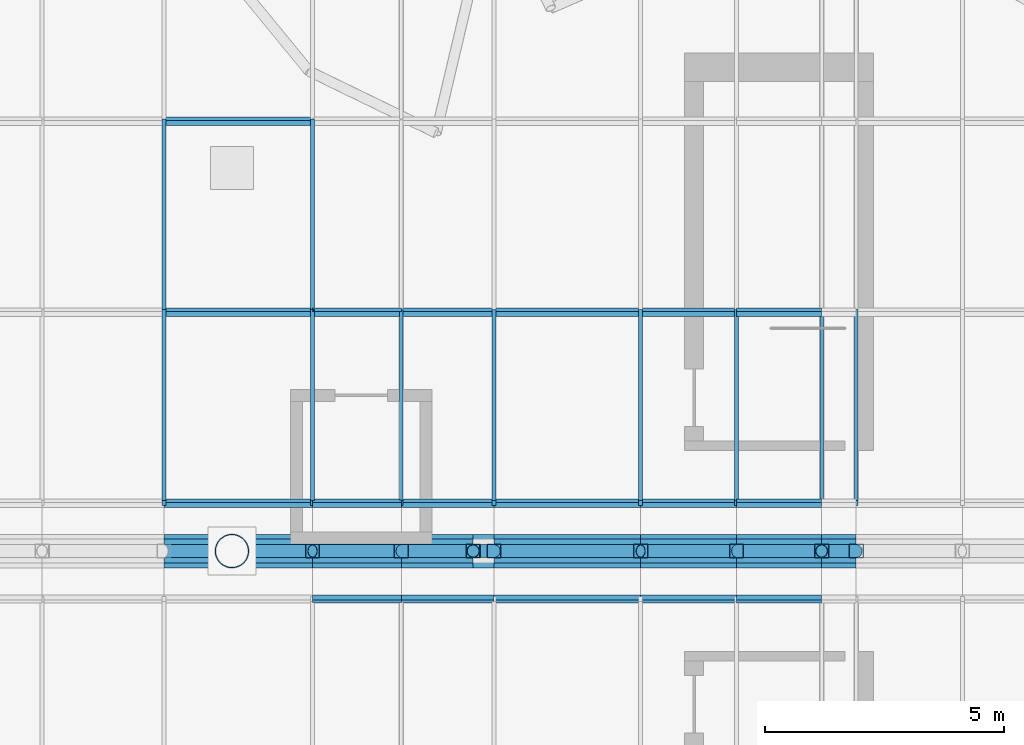
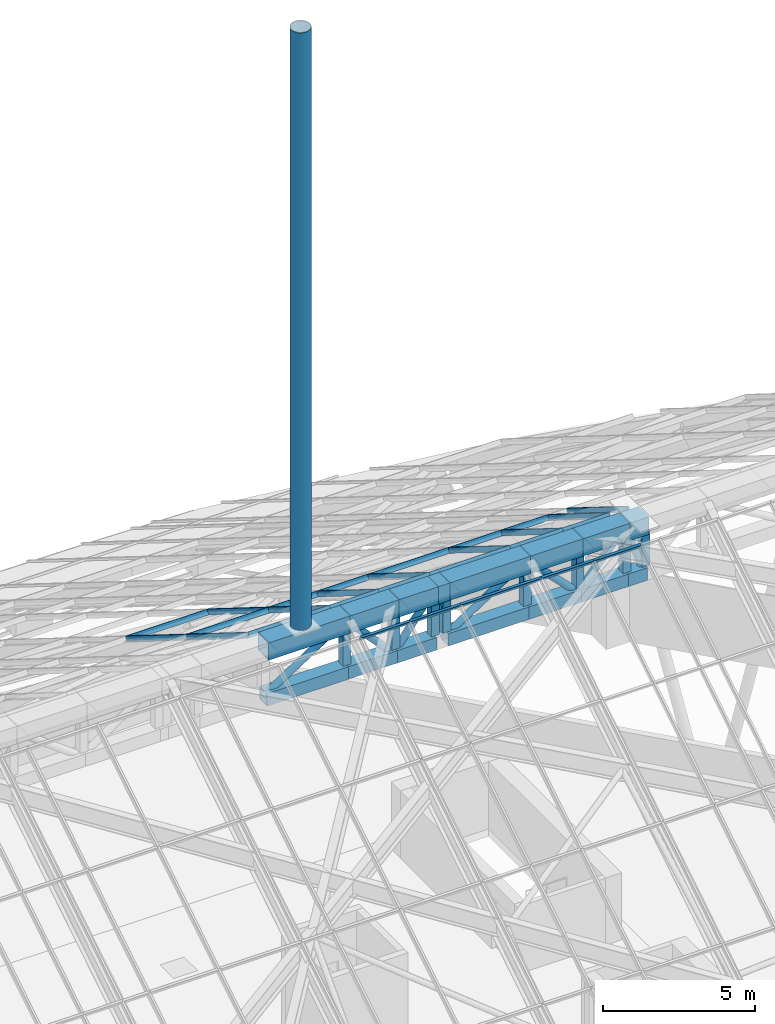
# One storey, part 17 of 38: 60 members, 15 elements without a shape of their own.
"""IFC4 building model written with IfcOpenShell, lengths in metres."""

from ifc_helpers import new_model, si_unit, direction, frame, origin, origin_2d, place, context, subcontext, project, spatial, rectangle, hollow_rectangle, hollow_circle, extrude, material, layer, layer_set, material_profile, profile_set, type_object, element, aggregate, save


model = new_model("IFC4")

# Units and contexts
model_context = context("Model", 3, precision=1e-05, world=origin(), true_north=direction((0.0, 1.0)))
body_context = subcontext(model_context, "Body", "Model", "MODEL_VIEW")
ifc_project = project(units=[si_unit("LENGTHUNIT", "METRE"), si_unit("AREAUNIT", "SQUARE_METRE"), si_unit("VOLUMEUNIT", "CUBIC_METRE"), si_unit("PLANEANGLEUNIT", "RADIAN"), si_unit("MASSUNIT", "GRAM", prefix="KILO")], contexts=[model_context])

# Site, building, storey
site_placement = place(None, origin())
site = spatial("IfcSite", under=ifc_project, at=site_placement, CompositionType="ELEMENT")
building_placement = place(site_placement, origin())
building = spatial("IfcBuilding", under=site, at=building_placement, Name="Dongbaek Canopy Tower", CompositionType="ELEMENT")
storey_placement = place(building_placement, frame((0.0, 0.0, 375.800048828125)))
storey = spatial("IfcBuildingStorey", under=building, at=storey_placement, Name="Roof", CompositionType="ELEMENT", Elevation=375.800048828125)

# Member
ifc_material_1 = material(Name="Steel S355", Category="steel")
ifc_material_profile_1 = material_profile(ifc_material_1, hollow_circle(Radius=0.35546875, WallThickness=0.02001953125, at=origin_2d()), Name="CROWN SPIRE CHS 711.0x20.0 Steel S355")
ifc_profile_set_1 = profile_set([ifc_material_profile_1], Name="Steel S355")
member_type_1 = type_object("IfcMemberType", Name="CROWN SPIRE CHS 711.0x20.0 Steel S355", PredefinedType="POST", material=ifc_profile_set_1)
member_1_placement = place(storey_placement, frame((0.0, 0.0, 18.641845703125), z_axis=(0.0, 0.0, 1.0), x_axis=(1.0, 0.0, 0.0)))
element("IfcMember", 1, at=member_1_placement, inside=storey, type_object=member_type_1, Name="Crown spire", PredefinedType="POST", context=body_context, shape_type="SweptSolid", body=[
    extrude(hollow_circle(Radius=0.35546875, WallThickness=0.02001953125, at=origin_2d()), origin(), (0.0, 0.0, 1.0), 24.0),
])

# Curtain wall, member
ifc_material_2 = material(Name="Aluminium 6063-T6 pale anodised", Category="aluminium")
ifc_layer = layer(ifc_material_2, 0.199951171875)
ifc_layer_set = layer_set([ifc_layer], Name="CW-6 canopy glazing curtain wall")
curtain_wall_type = type_object("IfcCurtainWallType", Name="CW-6 canopy glazing curtain wall", PredefinedType="NOTDEFINED", material=ifc_layer_set)
curtain_wall_1_placement = place(storey_placement, origin())
curtain_wall_1 = element("IfcCurtainWall", 2, at=curtain_wall_1_placement, inside=storey, type_object=curtain_wall_type, Name="CW-6 canopy glazing north 15.1", PredefinedType="NOTDEFINED")
ifc_material_3 = material(Name="Aluminium 6063-T6 pale anodised", Category="aluminium")
ifc_material_profile_2 = material_profile(ifc_material_3, rectangle(XDim=0.080078125, YDim=0.199951171875, at=origin_2d()), Name="CW-6 mullion 80 x 200")
ifc_profile_set_2 = profile_set([ifc_material_profile_2], Name="Aluminium 6063-T6 pale anodised")
member_type_2 = type_object("IfcMemberType", Name="CW-6 mullion 80 x 200", PredefinedType="MULLION", material=ifc_profile_set_2)
member_2_placement = place(storey_placement, frame((-1.41796875, 1.0, 18.0986328125), z_axis=(0.0, 0.848068327403, -0.529886886095), x_axis=(-1.0, 0.0, 0.0)))
member_2 = element("IfcMember", 3, at=member_2_placement, type_object=member_type_2, Name="CW-6 mullion N15.1.-1.4", PredefinedType="MULLION", context=body_context, shape_type="SweptSolid", body=[
    extrude(rectangle(XDim=0.080078125, YDim=0.199951171875, at=origin_2d()), origin(), (0.0, 0.0, 1.0), 4.700439453125),
])
aggregate(curtain_wall_1, [member_2])

curtain_wall_2_placement = place(storey_placement, origin())
curtain_wall_2 = element("IfcCurtainWall", 4, at=curtain_wall_2_placement, inside=storey, type_object=curtain_wall_type, Name="CW-6 canopy glazing north 15.2", PredefinedType="NOTDEFINED")
member_3_placement = place(storey_placement, frame((-1.41796875, 4.986328125, 15.60791015625), z_axis=(0.0, 0.848030400431, -0.529947582262), x_axis=(-1.0, 0.0, 0.0)))
member_3 = element("IfcMember", 5, at=member_3_placement, type_object=member_type_2, Name="CW-6 mullion N15.2.-1.4", PredefinedType="MULLION", context=body_context, shape_type="SweptSolid", body=[
    extrude(rectangle(XDim=0.080078125, YDim=0.199951171875, at=origin_2d()), origin(), (0.0, 0.0, 1.0), 4.700439453125),
])
aggregate(curtain_wall_2, [member_3])

curtain_wall_3_placement = place(storey_placement, origin())
curtain_wall_3 = element("IfcCurtainWall", 6, at=curtain_wall_3_placement, inside=storey, type_object=curtain_wall_type, Name="CW-6 canopy glazing north 16.1", PredefinedType="NOTDEFINED")
member_4_placement = place(storey_placement, frame((1.68310546875, 1.0, 18.0986328125), z_axis=(0.0, 0.848068327403, -0.529886886095), x_axis=(-1.0, 0.0, 0.0)))
member_4 = element("IfcMember", 7, at=member_4_placement, type_object=member_type_2, Name="CW-6 mullion N16.1.1.7", PredefinedType="MULLION", context=body_context, shape_type="SweptSolid", body=[
    extrude(rectangle(XDim=0.080078125, YDim=0.199951171875, at=origin_2d()), origin(), (0.0, 0.0, 1.0), 4.700439453125),
])

curtain_wall_4_placement = place(storey_placement, origin())
curtain_wall_4 = element("IfcCurtainWall", 8, at=curtain_wall_4_placement, inside=storey, type_object=curtain_wall_type, Name="CW-6 canopy glazing north 16.2", PredefinedType="NOTDEFINED")
member_5_placement = place(storey_placement, frame((1.68310546875, 4.986328125, 15.60791015625), z_axis=(0.0, 0.848030400431, -0.529947582262), x_axis=(-1.0, 0.0, 0.0)))
member_5 = element("IfcMember", 9, at=member_5_placement, type_object=member_type_2, Name="CW-6 mullion N16.2.1.7", PredefinedType="MULLION", context=body_context, shape_type="SweptSolid", body=[
    extrude(rectangle(XDim=0.080078125, YDim=0.199951171875, at=origin_2d()), origin(), (0.0, 0.0, 1.0), 4.700439453125),
])

curtain_wall_5_placement = place(storey_placement, origin())
curtain_wall_5 = element("IfcCurtainWall", 10, at=curtain_wall_5_placement, inside=storey, type_object=curtain_wall_type, Name="CW-6 canopy glazing north 17.1", PredefinedType="NOTDEFINED")
member_6_placement = place(storey_placement, frame((3.535400390625, 1.0, 18.0986328125), z_axis=(0.0, 0.848068327403, -0.529886886095), x_axis=(-1.0, 0.0, 0.0)))
member_6 = element("IfcMember", 11, at=member_6_placement, type_object=member_type_2, Name="CW-6 mullion N17.1.3.5", PredefinedType="MULLION", context=body_context, shape_type="SweptSolid", body=[
    extrude(rectangle(XDim=0.080078125, YDim=0.199951171875, at=origin_2d()), origin(), (0.0, 0.0, 1.0), 4.700439453125),
])

curtain_wall_6_placement = place(storey_placement, origin())
curtain_wall_6 = element("IfcCurtainWall", 12, at=curtain_wall_6_placement, inside=storey, type_object=curtain_wall_type, Name="CW-6 canopy glazing north 18.1", PredefinedType="NOTDEFINED")
member_7_placement = place(storey_placement, frame((5.470947265625, 1.0, 18.0986328125), z_axis=(0.0, 0.848068327403, -0.529886886095), x_axis=(-1.0, 0.0, 0.0)))
member_7 = element("IfcMember", 13, at=member_7_placement, type_object=member_type_2, Name="CW-6 mullion N18.1.5.5", PredefinedType="MULLION", context=body_context, shape_type="SweptSolid", body=[
    extrude(rectangle(XDim=0.080078125, YDim=0.199951171875, at=origin_2d()), origin(), (0.0, 0.0, 1.0), 4.700439453125),
])

curtain_wall_7_placement = place(storey_placement, origin())
curtain_wall_7 = element("IfcCurtainWall", 14, at=curtain_wall_7_placement, inside=storey, type_object=curtain_wall_type, Name="CW-6 canopy glazing north 19.1", PredefinedType="NOTDEFINED")
member_8_placement = place(storey_placement, frame((8.533935546875, 1.0, 18.0986328125), z_axis=(0.0, 0.848068327403, -0.529886886095), x_axis=(-1.0, 0.0, 0.0)))
member_8 = element("IfcMember", 15, at=member_8_placement, type_object=member_type_2, Name="CW-6 mullion N19.1.8.5", PredefinedType="MULLION", context=body_context, shape_type="SweptSolid", body=[
    extrude(rectangle(XDim=0.080078125, YDim=0.199951171875, at=origin_2d()), origin(), (0.0, 0.0, 1.0), 4.700439453125),
])

curtain_wall_8_placement = place(storey_placement, origin())
curtain_wall_8 = element("IfcCurtainWall", 16, at=curtain_wall_8_placement, inside=storey, type_object=curtain_wall_type, Name="CW-6 canopy glazing north 20.1", PredefinedType="NOTDEFINED")
member_9_placement = place(storey_placement, frame((10.535400390625, 1.0, 18.0986328125), z_axis=(0.0, 0.848068327403, -0.529886886095), x_axis=(-1.0, 0.0, 0.0)))
member_9 = element("IfcMember", 17, at=member_9_placement, type_object=member_type_2, Name="CW-6 mullion N20.1.10.5", PredefinedType="MULLION", context=body_context, shape_type="SweptSolid", body=[
    extrude(rectangle(XDim=0.080078125, YDim=0.199951171875, at=origin_2d()), origin(), (0.0, 0.0, 1.0), 4.700439453125),
])

curtain_wall_9_placement = place(storey_placement, origin())
curtain_wall_9 = element("IfcCurtainWall", 18, at=curtain_wall_9_placement, inside=storey, type_object=curtain_wall_type, Name="CW-6 canopy glazing north 21.1", PredefinedType="NOTDEFINED")
member_10_placement = place(storey_placement, frame((12.31396484375, 1.0, 18.0986328125), z_axis=(0.0, 0.848068327403, -0.529886886095), x_axis=(-1.0, 0.0, 0.0)))
member_10 = element("IfcMember", 19, at=member_10_placement, type_object=member_type_2, Name="CW-6 mullion N21.1.12.3", PredefinedType="MULLION", context=body_context, shape_type="SweptSolid", body=[
    extrude(rectangle(XDim=0.080078125, YDim=0.199951171875, at=origin_2d()), origin(), (0.0, 0.0, 1.0), 4.700439453125),
])

curtain_wall_10_placement = place(storey_placement, origin())
curtain_wall_10 = element("IfcCurtainWall", 20, at=curtain_wall_10_placement, inside=storey, type_object=curtain_wall_type, Name="CW-6 canopy glazing north 22.1", PredefinedType="NOTDEFINED")
member_11_placement = place(storey_placement, frame((13.035400390625, 1.0, 18.0986328125), z_axis=(0.0, 0.848068327403, -0.529886886095), x_axis=(-1.0, 0.0, 0.0)))
member_11 = element("IfcMember", 21, at=member_11_placement, type_object=member_type_2, Name="CW-6 mullion N22.1.13.0", PredefinedType="MULLION", context=body_context, shape_type="SweptSolid", body=[
    extrude(rectangle(XDim=0.080078125, YDim=0.199951171875, at=origin_2d()), origin(), (0.0, 0.0, 1.0), 4.700439453125),
])
aggregate(curtain_wall_10, [member_11])

# Member
ifc_material_4 = material(Name="Aluminium 6063-T6 pale anodised", Category="aluminium")
ifc_material_profile_3 = material_profile(ifc_material_4, rectangle(XDim=0.080078125, YDim=0.199951171875, at=origin_2d()), Name="CW-6 transom 80 x 200")
ifc_profile_set_3 = profile_set([ifc_material_profile_3], Name="Aluminium 6063-T6 pale anodised")
member_type_3 = type_object("IfcMemberType", Name="CW-6 transom 80 x 200", PredefinedType="USERDEFINED", material=ifc_profile_set_3)
member_12_placement = place(storey_placement, frame((-1.41796875, 1.0, 18.0986328125), z_axis=(1.0, 0.0, 0.0), x_axis=(0.0, 0.848048096156, -0.529919264233)))
member_12 = element("IfcMember", 22, at=member_12_placement, type_object=member_type_3, Name="CW-6 transom N16.1.1", ObjectType="TRANSOM", PredefinedType="USERDEFINED", context=body_context, shape_type="SweptSolid", body=[
    extrude(rectangle(XDim=0.080078125, YDim=0.199951171875, at=origin_2d()), origin(), (0.0, 0.0, 1.0), 3.10107421875),
])

member_13_placement = place(storey_placement, frame((-1.41796875, 4.986328125, 15.60791015625), z_axis=(1.0, 0.0, 0.0), x_axis=(0.0, 0.848048096156, -0.529919264233)))
member_13 = element("IfcMember", 23, at=member_13_placement, type_object=member_type_3, Name="CW-6 transom N16.1.2", ObjectType="TRANSOM", PredefinedType="USERDEFINED", context=body_context, shape_type="SweptSolid", body=[
    extrude(rectangle(XDim=0.080078125, YDim=0.199951171875, at=origin_2d()), origin(), (0.0, 0.0, 1.0), 3.10107421875),
])

aggregate(curtain_wall_3, [member_4, member_12, member_13])

member_14_placement = place(storey_placement, frame((-1.41796875, 8.972412109375, 13.116943359375), z_axis=(1.0, 0.0, 0.0), x_axis=(0.0, 0.848048096156, -0.529919264233)))
member_14 = element("IfcMember", 24, at=member_14_placement, type_object=member_type_3, Name="CW-6 transom N16.2.3", ObjectType="TRANSOM", PredefinedType="USERDEFINED", context=body_context, shape_type="SweptSolid", body=[
    extrude(rectangle(XDim=0.080078125, YDim=0.199951171875, at=origin_2d()), origin(), (0.0, 0.0, 1.0), 3.10107421875),
])

aggregate(curtain_wall_4, [member_5, member_14])

member_15_placement = place(storey_placement, frame((1.68310546875, 1.0, 18.0986328125), z_axis=(1.0, 0.0, 0.0), x_axis=(0.0, 0.848048096156, -0.529919264233)))
member_15 = element("IfcMember", 25, at=member_15_placement, type_object=member_type_3, Name="CW-6 transom N17.1.1", ObjectType="TRANSOM", PredefinedType="USERDEFINED", context=body_context, shape_type="SweptSolid", body=[
    extrude(rectangle(XDim=0.080078125, YDim=0.199951171875, at=origin_2d()), origin(), (0.0, 0.0, 1.0), 1.852294921875),
])

member_16_placement = place(storey_placement, frame((1.68310546875, 4.986328125, 15.60791015625), z_axis=(1.0, 0.0, 0.0), x_axis=(0.0, 0.848048096156, -0.529919264233)))
member_16 = element("IfcMember", 26, at=member_16_placement, type_object=member_type_3, Name="CW-6 transom N17.1.2", ObjectType="TRANSOM", PredefinedType="USERDEFINED", context=body_context, shape_type="SweptSolid", body=[
    extrude(rectangle(XDim=0.080078125, YDim=0.199951171875, at=origin_2d()), origin(), (0.0, 0.0, 1.0), 1.852294921875),
])

aggregate(curtain_wall_5, [member_6, member_15, member_16])

member_17_placement = place(storey_placement, frame((3.535400390625, 1.0, 18.0986328125), z_axis=(1.0, 0.0, 0.0), x_axis=(0.0, 0.848048096156, -0.529919264233)))
member_17 = element("IfcMember", 27, at=member_17_placement, type_object=member_type_3, Name="CW-6 transom N18.1.1", ObjectType="TRANSOM", PredefinedType="USERDEFINED", context=body_context, shape_type="SweptSolid", body=[
    extrude(rectangle(XDim=0.080078125, YDim=0.199951171875, at=origin_2d()), origin(), (0.0, 0.0, 1.0), 1.935546875),
])

member_18_placement = place(storey_placement, frame((3.535400390625, 4.986328125, 15.60791015625), z_axis=(1.0, 0.0, 0.0), x_axis=(0.0, 0.848048096156, -0.529919264233)))
member_18 = element("IfcMember", 28, at=member_18_placement, type_object=member_type_3, Name="CW-6 transom N18.1.2", ObjectType="TRANSOM", PredefinedType="USERDEFINED", context=body_context, shape_type="SweptSolid", body=[
    extrude(rectangle(XDim=0.080078125, YDim=0.199951171875, at=origin_2d()), origin(), (0.0, 0.0, 1.0), 1.935546875),
])

aggregate(curtain_wall_6, [member_7, member_17, member_18])

member_19_placement = place(storey_placement, frame((5.470947265625, 1.0, 18.0986328125), z_axis=(1.0, 0.0, 0.0), x_axis=(0.0, 0.848048096156, -0.529919264233)))
member_19 = element("IfcMember", 29, at=member_19_placement, type_object=member_type_3, Name="CW-6 transom N19.1.1", ObjectType="TRANSOM", PredefinedType="USERDEFINED", context=body_context, shape_type="SweptSolid", body=[
    extrude(rectangle(XDim=0.080078125, YDim=0.199951171875, at=origin_2d()), origin(), (0.0, 0.0, 1.0), 3.06298828125),
])

member_20_placement = place(storey_placement, frame((5.470947265625, 4.986328125, 15.60791015625), z_axis=(1.0, 0.0, 0.0), x_axis=(0.0, 0.848048096156, -0.529919264233)))
member_20 = element("IfcMember", 30, at=member_20_placement, type_object=member_type_3, Name="CW-6 transom N19.1.2", ObjectType="TRANSOM", PredefinedType="USERDEFINED", context=body_context, shape_type="SweptSolid", body=[
    extrude(rectangle(XDim=0.080078125, YDim=0.199951171875, at=origin_2d()), origin(), (0.0, 0.0, 1.0), 3.06298828125),
])

aggregate(curtain_wall_7, [member_8, member_19, member_20])

member_21_placement = place(storey_placement, frame((8.533935546875, 1.0, 18.0986328125), z_axis=(1.0, 0.0, 0.0), x_axis=(0.0, 0.848048096156, -0.529919264233)))
member_21 = element("IfcMember", 31, at=member_21_placement, type_object=member_type_3, Name="CW-6 transom N20.1.1", ObjectType="TRANSOM", PredefinedType="USERDEFINED", context=body_context, shape_type="SweptSolid", body=[
    extrude(rectangle(XDim=0.080078125, YDim=0.199951171875, at=origin_2d()), origin(), (0.0, 0.0, 1.0), 2.00146484375),
])

member_22_placement = place(storey_placement, frame((8.533935546875, 4.986328125, 15.60791015625), z_axis=(1.0, 0.0, 0.0), x_axis=(0.0, 0.848048096156, -0.529919264233)))
member_22 = element("IfcMember", 32, at=member_22_placement, type_object=member_type_3, Name="CW-6 transom N20.1.2", ObjectType="TRANSOM", PredefinedType="USERDEFINED", context=body_context, shape_type="SweptSolid", body=[
    extrude(rectangle(XDim=0.080078125, YDim=0.199951171875, at=origin_2d()), origin(), (0.0, 0.0, 1.0), 2.00146484375),
])

aggregate(curtain_wall_8, [member_9, member_21, member_22])

member_23_placement = place(storey_placement, frame((10.535400390625, 1.0, 18.0986328125), z_axis=(1.0, 0.0, 0.0), x_axis=(0.0, 0.848048096156, -0.529919264233)))
member_23 = element("IfcMember", 33, at=member_23_placement, type_object=member_type_3, Name="CW-6 transom N21.1.1", ObjectType="TRANSOM", PredefinedType="USERDEFINED", context=body_context, shape_type="SweptSolid", body=[
    extrude(rectangle(XDim=0.080078125, YDim=0.199951171875, at=origin_2d()), origin(), (0.0, 0.0, 1.0), 1.778564453125),
])

member_24_placement = place(storey_placement, frame((10.535400390625, 4.986328125, 15.60791015625), z_axis=(1.0, 0.0, 0.0), x_axis=(0.0, 0.848048096156, -0.529919264233)))
member_24 = element("IfcMember", 34, at=member_24_placement, type_object=member_type_3, Name="CW-6 transom N21.1.2", ObjectType="TRANSOM", PredefinedType="USERDEFINED", context=body_context, shape_type="SweptSolid", body=[
    extrude(rectangle(XDim=0.080078125, YDim=0.199951171875, at=origin_2d()), origin(), (0.0, 0.0, 1.0), 1.778564453125),
])

aggregate(curtain_wall_9, [member_10, member_23, member_24])

# Curtain wall, member
curtain_wall_11_placement = place(storey_placement, origin())
curtain_wall_11 = element("IfcCurtainWall", 35, at=curtain_wall_11_placement, inside=storey, type_object=curtain_wall_type, Name="CW-6 canopy glazing south 17.1", PredefinedType="NOTDEFINED")
member_25_placement = place(storey_placement, frame((1.68310546875, -1.0, 18.0986328125), z_axis=(1.0, 0.0, 0.0), x_axis=(0.0, 0.848048096156, 0.529919264233)))
member_25 = element("IfcMember", 36, at=member_25_placement, type_object=member_type_3, Name="CW-6 transom S17.1.1", ObjectType="TRANSOM", PredefinedType="USERDEFINED", context=body_context, shape_type="SweptSolid", body=[
    extrude(rectangle(XDim=0.080078125, YDim=0.199951171875, at=origin_2d()), origin(), (0.0, 0.0, 1.0), 1.852294921875),
])
aggregate(curtain_wall_11, [member_25])

curtain_wall_12_placement = place(storey_placement, origin())
curtain_wall_12 = element("IfcCurtainWall", 37, at=curtain_wall_12_placement, inside=storey, type_object=curtain_wall_type, Name="CW-6 canopy glazing south 18.1", PredefinedType="NOTDEFINED")
member_26_placement = place(storey_placement, frame((3.535400390625, -1.0, 18.0986328125), z_axis=(1.0, 0.0, 0.0), x_axis=(0.0, 0.848048096156, 0.529919264233)))
member_26 = element("IfcMember", 38, at=member_26_placement, type_object=member_type_3, Name="CW-6 transom S18.1.1", ObjectType="TRANSOM", PredefinedType="USERDEFINED", context=body_context, shape_type="SweptSolid", body=[
    extrude(rectangle(XDim=0.080078125, YDim=0.199951171875, at=origin_2d()), origin(), (0.0, 0.0, 1.0), 1.935546875),
])
aggregate(curtain_wall_12, [member_26])

curtain_wall_13_placement = place(storey_placement, origin())
curtain_wall_13 = element("IfcCurtainWall", 39, at=curtain_wall_13_placement, inside=storey, type_object=curtain_wall_type, Name="CW-6 canopy glazing south 19.1", PredefinedType="NOTDEFINED")
member_27_placement = place(storey_placement, frame((5.470947265625, -1.0, 18.0986328125), z_axis=(1.0, 0.0, 0.0), x_axis=(0.0, 0.848048096156, 0.529919264233)))
member_27 = element("IfcMember", 40, at=member_27_placement, type_object=member_type_3, Name="CW-6 transom S19.1.1", ObjectType="TRANSOM", PredefinedType="USERDEFINED", context=body_context, shape_type="SweptSolid", body=[
    extrude(rectangle(XDim=0.080078125, YDim=0.199951171875, at=origin_2d()), origin(), (0.0, 0.0, 1.0), 3.06298828125),
])
aggregate(curtain_wall_13, [member_27])

curtain_wall_14_placement = place(storey_placement, origin())
curtain_wall_14 = element("IfcCurtainWall", 41, at=curtain_wall_14_placement, inside=storey, type_object=curtain_wall_type, Name="CW-6 canopy glazing south 20.1", PredefinedType="NOTDEFINED")
member_28_placement = place(storey_placement, frame((8.533935546875, -1.0, 18.0986328125), z_axis=(1.0, 0.0, 0.0), x_axis=(0.0, 0.848048096156, 0.529919264233)))
member_28 = element("IfcMember", 42, at=member_28_placement, type_object=member_type_3, Name="CW-6 transom S20.1.1", ObjectType="TRANSOM", PredefinedType="USERDEFINED", context=body_context, shape_type="SweptSolid", body=[
    extrude(rectangle(XDim=0.080078125, YDim=0.199951171875, at=origin_2d()), origin(), (0.0, 0.0, 1.0), 2.00146484375),
])
aggregate(curtain_wall_14, [member_28])

curtain_wall_15_placement = place(storey_placement, origin())
curtain_wall_15 = element("IfcCurtainWall", 43, at=curtain_wall_15_placement, inside=storey, type_object=curtain_wall_type, Name="CW-6 canopy glazing south 21.1", PredefinedType="NOTDEFINED")
member_29_placement = place(storey_placement, frame((10.535400390625, -1.0, 18.0986328125), z_axis=(1.0, 0.0, 0.0), x_axis=(0.0, 0.848048096156, 0.529919264233)))
member_29 = element("IfcMember", 44, at=member_29_placement, type_object=member_type_3, Name="CW-6 transom S21.1.1", ObjectType="TRANSOM", PredefinedType="USERDEFINED", context=body_context, shape_type="SweptSolid", body=[
    extrude(rectangle(XDim=0.080078125, YDim=0.199951171875, at=origin_2d()), origin(), (0.0, 0.0, 1.0), 1.778564453125),
])
aggregate(curtain_wall_15, [member_29])

# Members
ifc_material_5 = material(Name="Steel S355", Category="steel")
ifc_material_profile_4 = material_profile(ifc_material_5, hollow_rectangle(XDim=0.699951171875, YDim=0.699951171875, WallThickness=0.035888671875, at=origin_2d()), Name="RIDGE BEAM BOX 700x700x36 Steel S355")
ifc_profile_set_4 = profile_set([ifc_material_profile_4], Name="Steel S355")
member_type_4 = type_object("IfcMemberType", Name="RIDGE BEAM BOX 700x700x36 Steel S355", PredefinedType="MEMBER", material=ifc_profile_set_4)
member_30_placement = place(storey_placement, frame((-1.41796875, 0.0, 18.251708984375), z_axis=(1.0, 0.0, 0.0), x_axis=(0.0, 1.0, 0.0)))
element("IfcMember", 45, at=member_30_placement, inside=storey, type_object=member_type_4, Name="RIDGE:14", PredefinedType="MEMBER", context=body_context, shape_type="SweptSolid", body=[
    extrude(hollow_rectangle(XDim=0.699951171875, YDim=0.699951171875, WallThickness=0.035888671875, at=origin_2d()), origin(), (0.0, 0.0, 1.0), 3.10107421875),
])
member_31_placement = place(storey_placement, frame((1.68310546875, 0.0, 18.251708984375), z_axis=(1.0, 0.0, 0.0), x_axis=(0.0, 1.0, 0.0)))
element("IfcMember", 46, at=member_31_placement, inside=storey, type_object=member_type_4, Name="RIDGE:15", PredefinedType="MEMBER", context=body_context, shape_type="SweptSolid", body=[
    extrude(hollow_rectangle(XDim=0.699951171875, YDim=0.699951171875, WallThickness=0.035888671875, at=origin_2d()), origin(), (0.0, 0.0, 1.0), 1.852294921875),
])
member_32_placement = place(storey_placement, frame((3.535400390625, 0.0, 18.251708984375), z_axis=(1.0, 0.0, 0.0), x_axis=(0.0, 1.0, 0.0)))
element("IfcMember", 47, at=member_32_placement, inside=storey, type_object=member_type_4, Name="RIDGE:16", PredefinedType="MEMBER", context=body_context, shape_type="SweptSolid", body=[
    extrude(hollow_rectangle(XDim=0.699951171875, YDim=0.699951171875, WallThickness=0.035888671875, at=origin_2d()), origin(), (0.0, 0.0, 1.0), 1.5),
])
member_33_placement = place(storey_placement, frame((5.035400390625, 0.0, 18.251708984375), z_axis=(1.0, 0.0, 0.0), x_axis=(0.0, 1.0, 0.0)))
element("IfcMember", 48, at=member_33_placement, inside=storey, type_object=member_type_4, Name="RIDGE:17", PredefinedType="MEMBER", context=body_context, shape_type="SweptSolid", body=[
    extrude(hollow_rectangle(XDim=0.699951171875, YDim=0.699951171875, WallThickness=0.035888671875, at=origin_2d()), origin(), (0.0, 0.0, 1.0), 0.435546875),
])
member_34_placement = place(storey_placement, frame((5.470947265625, 0.0, 18.251708984375), z_axis=(1.0, 0.0, 0.0), x_axis=(0.0, 1.0, 0.0)))
element("IfcMember", 49, at=member_34_placement, inside=storey, type_object=member_type_4, Name="RIDGE:18", PredefinedType="MEMBER", context=body_context, shape_type="SweptSolid", body=[
    extrude(hollow_rectangle(XDim=0.699951171875, YDim=0.699951171875, WallThickness=0.035888671875, at=origin_2d()), origin(), (0.0, 0.0, 1.0), 3.06298828125),
])
member_35_placement = place(storey_placement, frame((8.533935546875, 0.0, 18.251708984375), z_axis=(1.0, 0.0, 0.0), x_axis=(0.0, 1.0, 0.0)))
element("IfcMember", 50, at=member_35_placement, inside=storey, type_object=member_type_4, Name="RIDGE:19", PredefinedType="MEMBER", context=body_context, shape_type="SweptSolid", body=[
    extrude(hollow_rectangle(XDim=0.699951171875, YDim=0.699951171875, WallThickness=0.035888671875, at=origin_2d()), origin(), (0.0, 0.0, 1.0), 2.00146484375),
])
member_36_placement = place(storey_placement, frame((10.535400390625, 0.0, 18.251708984375), z_axis=(1.0, 0.0, 0.0), x_axis=(0.0, 1.0, 0.0)))
element("IfcMember", 51, at=member_36_placement, inside=storey, type_object=member_type_4, Name="RIDGE:20", PredefinedType="MEMBER", context=body_context, shape_type="SweptSolid", body=[
    extrude(hollow_rectangle(XDim=0.699951171875, YDim=0.699951171875, WallThickness=0.035888671875, at=origin_2d()), origin(), (0.0, 0.0, 1.0), 1.778564453125),
])
member_37_placement = place(storey_placement, frame((12.31396484375, 0.0, 18.251708984375), z_axis=(1.0, 0.0, 0.0), x_axis=(0.0, 1.0, 0.0)))
element("IfcMember", 52, at=member_37_placement, inside=storey, type_object=member_type_4, Name="RIDGE:21", PredefinedType="MEMBER", context=body_context, shape_type="SweptSolid", body=[
    extrude(hollow_rectangle(XDim=0.699951171875, YDim=0.699951171875, WallThickness=0.035888671875, at=origin_2d()), origin(), (0.0, 0.0, 1.0), 0.721435546875),
])
ifc_material_6 = material(Name="Steel S355", Category="steel")
ifc_material_profile_5 = material_profile(ifc_material_6, hollow_circle(Radius=0.1337890625, WallThickness=0.00927734375, at=origin_2d()), Name="RIDGE BRACE CHS 267.4x9.3 Steel S355")
ifc_profile_set_5 = profile_set([ifc_material_profile_5], Name="Steel S355")
member_type_5 = type_object("IfcMemberType", Name="RIDGE BRACE CHS 267.4x9.3 Steel S355", PredefinedType="BRACE", material=ifc_profile_set_5)
member_38_placement = place(storey_placement, frame((-1.41796875, 0.0, 16.251708984375), z_axis=(0.840382195494, 0.0, 0.541994248582), x_axis=(0.0, 1.0, 0.0)))
element("IfcMember", 53, at=member_38_placement, inside=storey, type_object=member_type_5, Name="RIDGEBRACE:14", PredefinedType="BRACE", context=body_context, shape_type="SweptSolid", body=[
    extrude(hollow_circle(Radius=0.1337890625, WallThickness=0.00927734375, at=origin_2d()), origin(), (0.0, 0.0, 1.0), 3.690185546875),
])
member_39_placement = place(storey_placement, frame((1.68310546875, 0.0, 18.251708984375), z_axis=(0.679495536671, 0.0, -0.733679641018), x_axis=(0.0, 1.0, 0.0)))
element("IfcMember", 54, at=member_39_placement, inside=storey, type_object=member_type_5, Name="RIDGEBRACE:15", PredefinedType="BRACE", context=body_context, shape_type="SweptSolid", body=[
    extrude(hollow_circle(Radius=0.1337890625, WallThickness=0.00927734375, at=origin_2d()), origin(), (0.0, 0.0, 1.0), 2.72607421875),
])
member_40_placement = place(storey_placement, frame((3.535400390625, 0.0, 16.251708984375), z_axis=(0.6, 0.0, 0.8), x_axis=(0.0, 1.0, 0.0)))
element("IfcMember", 55, at=member_40_placement, inside=storey, type_object=member_type_5, Name="RIDGEBRACE:16", PredefinedType="BRACE", context=body_context, shape_type="SweptSolid", body=[
    extrude(hollow_circle(Radius=0.1337890625, WallThickness=0.00927734375, at=origin_2d()), origin(), (0.0, 0.0, 1.0), 2.5),
])
member_41_placement = place(storey_placement, frame((5.035400390625, 0.0, 18.251708984375), z_axis=(0.212786162672, 0.0, -0.97709879182), x_axis=(0.0, 1.0, 0.0)))
element("IfcMember", 56, at=member_41_placement, inside=storey, type_object=member_type_5, Name="RIDGEBRACE:17", PredefinedType="BRACE", context=body_context, shape_type="SweptSolid", body=[
    extrude(hollow_circle(Radius=0.1337890625, WallThickness=0.00927734375, at=origin_2d()), origin(), (0.0, 0.0, 1.0), 2.046875),
])
member_42_placement = place(storey_placement, frame((5.470947265625, 0.0, 16.251708984375), z_axis=(0.837310409471, 0.0, 0.546727791677), x_axis=(0.0, 1.0, 0.0)))
element("IfcMember", 57, at=member_42_placement, inside=storey, type_object=member_type_5, Name="RIDGEBRACE:18", PredefinedType="BRACE", context=body_context, shape_type="SweptSolid", body=[
    extrude(hollow_circle(Radius=0.1337890625, WallThickness=0.00927734375, at=origin_2d()), origin(), (0.0, 0.0, 1.0), 3.658203125),
])
member_43_placement = place(storey_placement, frame((8.533935546875, 0.0, 18.251708984375), z_axis=(0.70736558923, 0.0, -0.706847878382), x_axis=(0.0, 1.0, 0.0)))
element("IfcMember", 58, at=member_43_placement, inside=storey, type_object=member_type_5, Name="RIDGEBRACE:19", PredefinedType="BRACE", context=body_context, shape_type="SweptSolid", body=[
    extrude(hollow_circle(Radius=0.1337890625, WallThickness=0.00927734375, at=origin_2d()), origin(), (0.0, 0.0, 1.0), 2.829345703125),
])
member_44_placement = place(storey_placement, frame((10.535400390625, 0.0, 16.251708984375), z_axis=(0.664528016406, 0.0, 0.747263350775), x_axis=(0.0, 1.0, 0.0)))
element("IfcMember", 59, at=member_44_placement, inside=storey, type_object=member_type_5, Name="RIDGEBRACE:20", PredefinedType="BRACE", context=body_context, shape_type="SweptSolid", body=[
    extrude(hollow_circle(Radius=0.1337890625, WallThickness=0.00927734375, at=origin_2d()), origin(), (0.0, 0.0, 1.0), 2.676513671875),
])
member_45_placement = place(storey_placement, frame((12.31396484375, 0.0, 18.251708984375), z_axis=(0.339317124254, 0.0, -0.940672041249), x_axis=(0.0, 1.0, 0.0)))
element("IfcMember", 60, at=member_45_placement, inside=storey, type_object=member_type_5, Name="RIDGEBRACE:21", PredefinedType="BRACE", context=body_context, shape_type="SweptSolid", body=[
    extrude(hollow_circle(Radius=0.1337890625, WallThickness=0.00927734375, at=origin_2d()), origin(), (0.0, 0.0, 1.0), 2.126220703125),
])
ifc_material_7 = material(Name="Steel S355", Category="steel")
ifc_material_profile_6 = material_profile(ifc_material_7, hollow_rectangle(XDim=0.5, YDim=0.5, WallThickness=0.030029296875, at=origin_2d()), Name="RIDGE LOWER CHORD BOX 500x500x30 Steel S355")
ifc_profile_set_6 = profile_set([ifc_material_profile_6], Name="Steel S355")
member_type_6 = type_object("IfcMemberType", Name="RIDGE LOWER CHORD BOX 500x500x30 Steel S355", PredefinedType="CHORD", material=ifc_profile_set_6)
member_46_placement = place(storey_placement, frame((-1.41796875, 0.0, 16.251708984375), z_axis=(1.0, 0.0, 0.0), x_axis=(0.0, 1.0, 0.0)))
element("IfcMember", 61, at=member_46_placement, inside=storey, type_object=member_type_6, Name="RIDGELOW:14", PredefinedType="CHORD", context=body_context, shape_type="SweptSolid", body=[
    extrude(hollow_rectangle(XDim=0.5, YDim=0.5, WallThickness=0.030029296875, at=origin_2d()), origin(), (0.0, 0.0, 1.0), 3.10107421875),
])
member_47_placement = place(storey_placement, frame((1.68310546875, 0.0, 16.251708984375), z_axis=(1.0, 0.0, 0.0), x_axis=(0.0, 1.0, 0.0)))
element("IfcMember", 62, at=member_47_placement, inside=storey, type_object=member_type_6, Name="RIDGELOW:15", PredefinedType="CHORD", context=body_context, shape_type="SweptSolid", body=[
    extrude(hollow_rectangle(XDim=0.5, YDim=0.5, WallThickness=0.030029296875, at=origin_2d()), origin(), (0.0, 0.0, 1.0), 1.852294921875),
])
member_48_placement = place(storey_placement, frame((3.535400390625, 0.0, 16.251708984375), z_axis=(1.0, 0.0, 0.0), x_axis=(0.0, 1.0, 0.0)))
element("IfcMember", 63, at=member_48_placement, inside=storey, type_object=member_type_6, Name="RIDGELOW:16", PredefinedType="CHORD", context=body_context, shape_type="SweptSolid", body=[
    extrude(hollow_rectangle(XDim=0.5, YDim=0.5, WallThickness=0.030029296875, at=origin_2d()), origin(), (0.0, 0.0, 1.0), 1.5),
])
member_49_placement = place(storey_placement, frame((5.470947265625, 0.0, 16.251708984375), z_axis=(1.0, 0.0, 0.0), x_axis=(0.0, 1.0, 0.0)))
element("IfcMember", 64, at=member_49_placement, inside=storey, type_object=member_type_6, Name="RIDGELOW:18", PredefinedType="CHORD", context=body_context, shape_type="SweptSolid", body=[
    extrude(hollow_rectangle(XDim=0.5, YDim=0.5, WallThickness=0.030029296875, at=origin_2d()), origin(), (0.0, 0.0, 1.0), 3.06298828125),
])
member_50_placement = place(storey_placement, frame((8.533935546875, 0.0, 16.251708984375), z_axis=(1.0, 0.0, 0.0), x_axis=(0.0, 1.0, 0.0)))
element("IfcMember", 65, at=member_50_placement, inside=storey, type_object=member_type_6, Name="RIDGELOW:19", PredefinedType="CHORD", context=body_context, shape_type="SweptSolid", body=[
    extrude(hollow_rectangle(XDim=0.5, YDim=0.5, WallThickness=0.030029296875, at=origin_2d()), origin(), (0.0, 0.0, 1.0), 2.00146484375),
])
member_51_placement = place(storey_placement, frame((10.535400390625, 0.0, 16.251708984375), z_axis=(1.0, 0.0, 0.0), x_axis=(0.0, 1.0, 0.0)))
element("IfcMember", 66, at=member_51_placement, inside=storey, type_object=member_type_6, Name="RIDGELOW:20", PredefinedType="CHORD", context=body_context, shape_type="SweptSolid", body=[
    extrude(hollow_rectangle(XDim=0.5, YDim=0.5, WallThickness=0.030029296875, at=origin_2d()), origin(), (0.0, 0.0, 1.0), 1.778564453125),
])
member_52_placement = place(storey_placement, frame((12.31396484375, 0.0, 16.251708984375), z_axis=(1.0, 0.0, 0.0), x_axis=(0.0, 1.0, 0.0)))
element("IfcMember", 67, at=member_52_placement, inside=storey, type_object=member_type_6, Name="RIDGELOW:21", PredefinedType="CHORD", context=body_context, shape_type="SweptSolid", body=[
    extrude(hollow_rectangle(XDim=0.5, YDim=0.5, WallThickness=0.030029296875, at=origin_2d()), origin(), (0.0, 0.0, 1.0), 0.721435546875),
])
ifc_material_8 = material(Name="Steel S355", Category="steel")
ifc_material_profile_7 = material_profile(ifc_material_8, hollow_rectangle(XDim=0.300048828125, YDim=0.300048828125, WallThickness=0.011962890625, at=origin_2d()), Name="RIDGE POST SHS 300x300x12 Steel S355")
ifc_profile_set_7 = profile_set([ifc_material_profile_7], Name="Steel S355")
member_type_7 = type_object("IfcMemberType", Name="RIDGE POST SHS 300x300x12 Steel S355", PredefinedType="POST", material=ifc_profile_set_7)
for number, where, z_axis, x_axis, name in (
    (68, (1.68310546875, 0.0, 16.501708984375), (0.0, 0.0, 1.0), (1.0, 0.0, 0.0), "RIDGEPOST:15"),
    (69, (3.535400390625, 0.0, 16.501708984375), (0.0, 0.0, 1.0), (1.0, 0.0, 0.0), "RIDGEPOST:16"),
    (70, (5.035400390625, 0.0, 16.501708984375), (0.0, 0.0, 1.0), (1.0, 0.0, 0.0), "RIDGEPOST:17"),
    (71, (5.470947265625, 0.0, 16.501708984375), (0.0, 0.0, 1.0), (1.0, 0.0, 0.0), "RIDGEPOST:18"),
    (72, (8.533935546875, 0.0, 16.501708984375), (0.0, 0.0, 1.0), (1.0, 0.0, 0.0), "RIDGEPOST:19"),
    (73, (10.535400390625, 0.0, 16.501708984375), (0.0, 0.0, 1.0), (1.0, 0.0, 0.0), "RIDGEPOST:20"),
    (74, (12.31396484375, 0.0, 16.501708984375), (0.0, 0.0, 1.0), (1.0, 0.0, 0.0), "RIDGEPOST:21"),
    (75, (13.035400390625, 0.0, 16.501708984375), (0.0, 0.0, 1.0), (1.0, 0.0, 0.0), "RIDGEPOST:22"),
):
    element("IfcMember", number, at=place(storey_placement, frame(where, z_axis=z_axis, x_axis=x_axis)), inside=storey, type_object=member_type_7, Name=name, PredefinedType="POST", context=body_context, shape_type="SweptSolid", body=[
        extrude(hollow_rectangle(XDim=0.300048828125, YDim=0.300048828125, WallThickness=0.011962890625, at=origin_2d()), origin(), (0.0, 0.0, 1.0), 1.400146484375),
    ])

save(model, "model.ifc")
